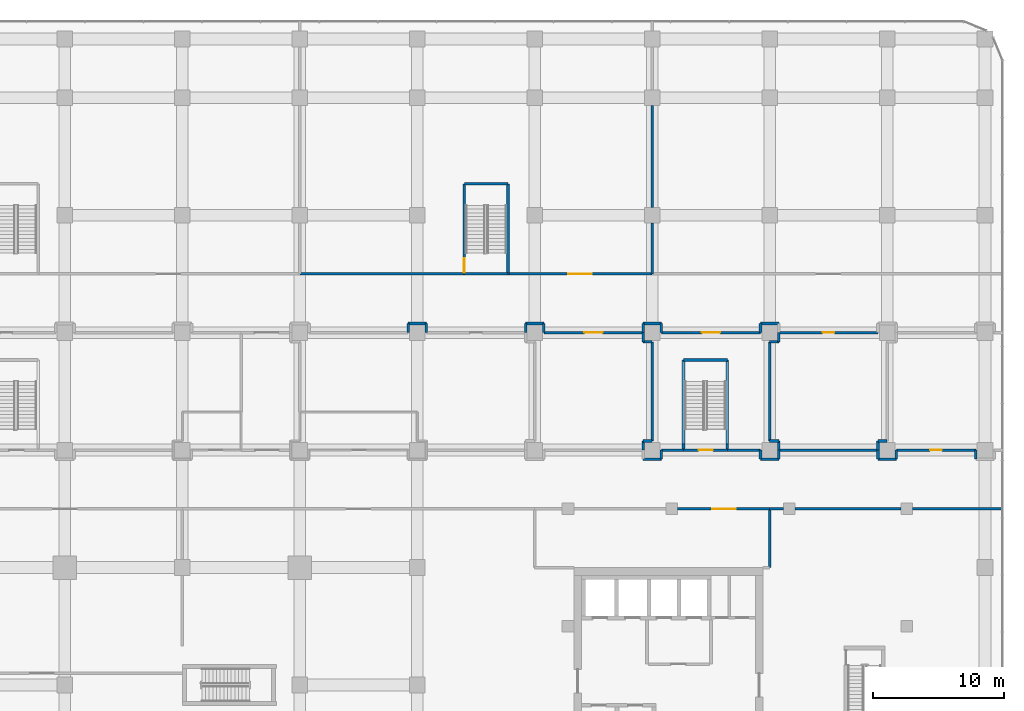
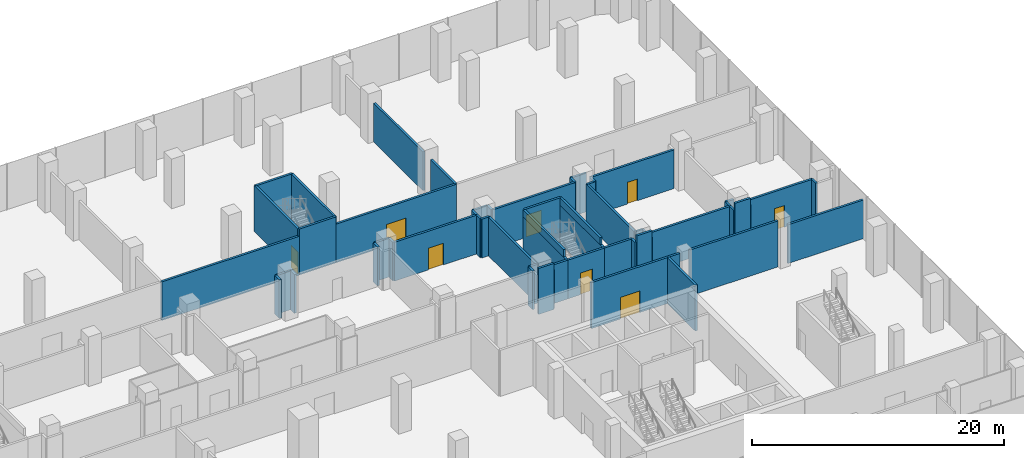
# One storey, part 35 of 42: 58 walls, 8 doors, 8 openings.
"""IFC4 building model written with IfcOpenShell, lengths in metres."""

from ifc_helpers import new_model, si_unit, direction, frame, frame_2d, origin, place, context, subcontext, project, spatial, rectangle, extrude, material, layer, layer_set, type_object, element, fill, save


model = new_model("IFC4")

# Units and contexts
model_context = context("Model", 3, precision=1e-05, world=origin(), true_north=direction((0.0, 1.0)))
body_context = subcontext(model_context, "Body", "Model", "MODEL_VIEW")
ifc_project = project(units=[si_unit("LENGTHUNIT", "METRE"), si_unit("AREAUNIT", "SQUARE_METRE"), si_unit("VOLUMEUNIT", "CUBIC_METRE"), si_unit("PLANEANGLEUNIT", "RADIAN"), si_unit("MASSUNIT", "GRAM", prefix="KILO")], contexts=[model_context])

# Site, building, storey
site_placement = place(None, origin())
site = spatial("IfcSite", under=ifc_project, at=site_placement, CompositionType="ELEMENT")
building_placement = place(site_placement, origin())
building = spatial("IfcBuilding", under=site, at=building_placement, Name="Plateau Cross Towers", CompositionType="ELEMENT")
storey_placement = place(building_placement, frame((0.0, 0.0, 8.0)))
storey = spatial("IfcBuildingStorey", under=building, at=storey_placement, Name="L01", CompositionType="ELEMENT", Elevation=8.0)

# Walls
ifc_material_1 = material(Name="Gypsum board on steel studs", Category="steel")
ifc_layer_1 = layer(ifc_material_1, 0.199951171875)
ifc_layer_set_1 = layer_set([ifc_layer_1], Name="Gypsum board on steel studs")
wall_type_1 = type_object("IfcWallType", Name="Podium partition 200", PredefinedType="PARTITIONING", material=ifc_layer_set_1)
wall_1_placement = place(storey_placement, frame((63.699951171875, 36.0, 0.0), z_axis=(0.0, 0.0, 1.0), x_axis=(0.0, 1.0, 0.0)))
element("IfcWall", 1, at=wall_1_placement, inside=storey, type_object=wall_type_1, Name="Partition wall", PredefinedType="PARTITIONING", context=body_context, shape_type="SweptSolid", body=[
    extrude(rectangle(XDim=0.699951171875, YDim=0.199951171875, at=frame_2d((0.35009765625, 0.0))), origin(), (0.0, 0.0, 1.0), 3.75),
])
wall_2_placement = place(storey_placement, frame((63.699951171875, 36.699951171875, 0.0), z_axis=(0.0, 0.0, 1.0), x_axis=(-1.0, 0.0, 0.0)))
element("IfcWall", 2, at=wall_2_placement, inside=storey, type_object=wall_type_1, Name="Partition wall", PredefinedType="PARTITIONING", context=body_context, shape_type="SweptSolid", body=[
    extrude(rectangle(XDim=1.39990234375, YDim=0.199951171875, at=frame_2d((0.699951171875, 0.0))), origin(), (0.0, 0.0, 1.0), 3.75),
])
wall_3_placement = place(storey_placement, frame((62.300048828125, 36.699951171875, 0.0), z_axis=(0.0, 0.0, 1.0), x_axis=(0.0, -1.0, 0.0)))
element("IfcWall", 3, at=wall_3_placement, inside=storey, type_object=wall_type_1, Name="Partition wall", PredefinedType="PARTITIONING", context=body_context, shape_type="SweptSolid", body=[
    extrude(rectangle(XDim=0.699951171875, YDim=0.199951171875, at=frame_2d((0.35009765625, 0.0))), origin(), (0.0, 0.0, 1.0), 3.75),
])
wall_4_placement = place(storey_placement, frame((81.0, 53.39990234375, 0.0), z_axis=(0.0, 0.0, 1.0), x_axis=(0.0, -1.0, 0.0)))
element("IfcWall", 4, at=wall_4_placement, inside=storey, type_object=wall_type_1, Name="Partition wall", PredefinedType="PARTITIONING", context=body_context, shape_type="SweptSolid", body=[
    extrude(rectangle(XDim=7.7998046875, YDim=0.199951171875, at=frame_2d((3.89990234375, 0.0))), origin(), (0.0, 0.0, 1.0), 3.75),
])
wall_5_placement = place(storey_placement, frame((81.0, 44.39990234375, 0.0), z_axis=(0.0, 0.0, 1.0), x_axis=(0.0, -1.0, 0.0)))
element("IfcWall", 5, at=wall_5_placement, inside=storey, type_object=wall_type_1, Name="Partition wall", PredefinedType="PARTITIONING", context=body_context, shape_type="SweptSolid", body=[
    extrude(rectangle(XDim=3.89990234375, YDim=0.199951171875, at=frame_2d((1.949951171875, 0.0))), origin(), (0.0, 0.0, 1.0), 3.75),
])

# Wall, opening, door
wall_6_placement = place(storey_placement, frame((90.0, 22.5, 0.0), z_axis=(0.0, 0.0, 1.0), x_axis=(-1.0, 0.0, 0.0)))
wall_6 = element("IfcWall", 6, at=wall_6_placement, inside=storey, type_object=wall_type_1, Name="Partition wall", PredefinedType="PARTITIONING", context=body_context, shape_type="SweptSolid", body=[
    extrude(rectangle(XDim=7.050048828125, YDim=0.199951171875, at=frame_2d((3.52490234375, 0.0))), origin(), (0.0, 0.0, 1.0), 4.449951171875),
])
opening_1_placement = place(wall_6_placement, frame((2.60009765625, 0.0, 0.0)))
opening_1 = element("IfcOpeningElement", 7, at=opening_1_placement, cuts=wall_6, Name="Opening 01-34", PredefinedType="OPENING", context=body_context, shape_type="SweptSolid", body=[
    extrude(rectangle(XDim=1.800048828125, YDim=2.10009765625, at=frame_2d((0.89990234375, 1.050048828125))), frame((0.0, 0.10986328125, 0.0), z_axis=(0.0, -1.0, 0.0), x_axis=(1.0, 0.0, 0.0)), (0.0, 0.0, 1.0), 0.219970703125),
])
ifc_material_2 = material(Name="Aluminium frame, toughened glass", Category="aluminium")
door_type_1 = type_object("IfcDoorType", Name="Podium door pair 1800", OperationType="NOTDEFINED", PredefinedType="DOOR", material=ifc_material_2)
door_1_placement = place(opening_1_placement, origin())
door_1 = element("IfcDoor", 8, at=door_1_placement, inside=storey, type_object=door_type_1, Name="Door 01-34", OperationType="DOUBLE_DOOR_SINGLE_SWING", OverallHeight=2.10009765625, OverallWidth=1.800048828125, PredefinedType="DOOR", context=body_context, shape_type="SweptSolid", body=[
    extrude(rectangle(XDim=1.800048828125, YDim=2.10009765625, at=frame_2d((0.89990234375, 1.050048828125))), frame((0.0, 0.02490234375, 0.0), z_axis=(0.0, -1.0, 0.0), x_axis=(1.0, 0.0, 0.0)), (0.0, 0.0, 1.0), 0.050048828125),
])
fill(opening_1, door_1)

# Walls
wall_7_placement = place(storey_placement, frame((107.85009765625, 22.5, 0.0), z_axis=(0.0, 0.0, 1.0), x_axis=(-1.0, 0.0, 0.0)))
element("IfcWall", 9, at=wall_7_placement, inside=storey, type_object=wall_type_1, Name="Partition wall", PredefinedType="PARTITIONING", context=body_context, shape_type="SweptSolid", body=[
    extrude(rectangle(XDim=6.900146484375, YDim=0.199951171875, at=frame_2d((3.4501953125, 0.0))), origin(), (0.0, 0.0, 1.0), 3.75),
])
wall_8_placement = place(storey_placement, frame((100.050048828125, 22.5, 0.0), z_axis=(0.0, 0.0, 1.0), x_axis=(-1.0, 0.0, 0.0)))
element("IfcWall", 10, at=wall_8_placement, inside=storey, type_object=wall_type_1, Name="Partition wall", PredefinedType="PARTITIONING", context=body_context, shape_type="SweptSolid", body=[
    extrude(rectangle(XDim=8.10009765625, YDim=0.199951171875, at=frame_2d((4.050048828125, 0.0))), origin(), (0.0, 0.0, 1.0), 4.449951171875),
])
wall_9_placement = place(storey_placement, frame((91.050048828125, 22.5, 0.0), z_axis=(0.0, 0.0, 1.0), x_axis=(-1.0, 0.0, 0.0)))
element("IfcWall", 11, at=wall_9_placement, inside=storey, type_object=wall_type_1, Name="Partition wall", PredefinedType="PARTITIONING", context=body_context, shape_type="SweptSolid", body=[
    extrude(rectangle(XDim=1.050048828125, YDim=0.199951171875, at=frame_2d((0.52490234375, 0.0))), origin(), (0.0, 0.0, 1.0), 4.449951171875),
])
wall_10_placement = place(storey_placement, frame((90.699951171875, 36.699951171875, 0.0), z_axis=(0.0, 0.0, 1.0), x_axis=(-1.0, 0.0, 0.0)))
element("IfcWall", 12, at=wall_10_placement, inside=storey, type_object=wall_type_1, Name="Partition wall", PredefinedType="PARTITIONING", context=body_context, shape_type="SweptSolid", body=[
    extrude(rectangle(XDim=1.39990234375, YDim=0.199951171875, at=frame_2d((0.699951171875, 0.0))), origin(), (0.0, 0.0, 1.0), 3.75),
])
wall_11_placement = place(storey_placement, frame((89.300048828125, 36.699951171875, 0.0), z_axis=(0.0, 0.0, 1.0), x_axis=(0.0, -1.0, 0.0)))
element("IfcWall", 13, at=wall_11_placement, inside=storey, type_object=wall_type_1, Name="Partition wall", PredefinedType="PARTITIONING", context=body_context, shape_type="SweptSolid", body=[
    extrude(rectangle(XDim=0.699951171875, YDim=0.199951171875, at=frame_2d((0.35009765625, 0.0))), origin(), (0.0, 0.0, 1.0), 3.75),
])

# Wall, opening, door
wall_12_placement = place(storey_placement, frame((89.300048828125, 36.0, 0.0), z_axis=(0.0, 0.0, 1.0), x_axis=(-1.0, 0.0, 0.0)))
wall_12 = element("IfcWall", 14, at=wall_12_placement, inside=storey, type_object=wall_type_1, Name="Partition wall", PredefinedType="PARTITIONING", context=body_context, shape_type="SweptSolid", body=[
    extrude(rectangle(XDim=7.60009765625, YDim=0.199951171875, at=frame_2d((3.800048828125, 0.0))), origin(), (0.0, 0.0, 1.0), 3.75),
])
opening_2_placement = place(wall_12_placement, frame((3.10009765625, 0.0, 0.0)))
opening_2 = element("IfcOpeningElement", 15, at=opening_2_placement, cuts=wall_12, Name="Opening 01-22", PredefinedType="OPENING", context=body_context, shape_type="SweptSolid", body=[
    extrude(rectangle(XDim=1.39990234375, YDim=2.10009765625, at=frame_2d((0.699951171875, 1.050048828125))), frame((0.0, 0.10986328125, 0.0), z_axis=(0.0, -1.0, 0.0), x_axis=(1.0, 0.0, 0.0)), (0.0, 0.0, 1.0), 0.219970703125),
])
ifc_material_3 = material(Name="Timber, hospital grade leaf", Category="wood")
door_type_2 = type_object("IfcDoorType", Name="Clinic bed access door 1400x2100", OperationType="NOTDEFINED", PredefinedType="DOOR", material=ifc_material_3)
door_2_placement = place(opening_2_placement, origin())
door_2 = element("IfcDoor", 16, at=door_2_placement, inside=storey, type_object=door_type_2, Name="Door 01-22", OperationType="SINGLE_SWING_LEFT", OverallHeight=2.10009765625, OverallWidth=1.39990234375, PredefinedType="DOOR", context=body_context, shape_type="SweptSolid", body=[
    extrude(rectangle(XDim=1.39990234375, YDim=2.10009765625, at=frame_2d((0.699951171875, 1.050048828125))), frame((0.0, 0.02490234375, 0.0), z_axis=(0.0, -1.0, 0.0), x_axis=(1.0, 0.0, 0.0)), (0.0, 0.0, 1.0), 0.050048828125),
])
fill(opening_2, door_2)

# Walls
wall_13_placement = place(storey_placement, frame((81.699951171875, 36.0, 0.0), z_axis=(0.0, 0.0, 1.0), x_axis=(0.0, 1.0, 0.0)))
element("IfcWall", 17, at=wall_13_placement, inside=storey, type_object=wall_type_1, Name="Partition wall", PredefinedType="PARTITIONING", context=body_context, shape_type="SweptSolid", body=[
    extrude(rectangle(XDim=0.699951171875, YDim=0.199951171875, at=frame_2d((0.35009765625, 0.0))), origin(), (0.0, 0.0, 1.0), 3.75),
])
wall_14_placement = place(storey_placement, frame((81.699951171875, 36.699951171875, 0.0), z_axis=(0.0, 0.0, 1.0), x_axis=(-1.0, 0.0, 0.0)))
element("IfcWall", 18, at=wall_14_placement, inside=storey, type_object=wall_type_1, Name="Partition wall", PredefinedType="PARTITIONING", context=body_context, shape_type="SweptSolid", body=[
    extrude(rectangle(XDim=1.39990234375, YDim=0.199951171875, at=frame_2d((0.699951171875, 0.0))), origin(), (0.0, 0.0, 1.0), 3.75),
])
wall_15_placement = place(storey_placement, frame((80.300048828125, 36.699951171875, 0.0), z_axis=(0.0, 0.0, 1.0), x_axis=(0.0, -1.0, 0.0)))
element("IfcWall", 19, at=wall_15_placement, inside=storey, type_object=wall_type_1, Name="Partition wall", PredefinedType="PARTITIONING", context=body_context, shape_type="SweptSolid", body=[
    extrude(rectangle(XDim=0.699951171875, YDim=0.199951171875, at=frame_2d((0.35009765625, 0.0))), origin(), (0.0, 0.0, 1.0), 3.75),
])
wall_16_placement = place(storey_placement, frame((54.0, 40.5, 0.0), z_axis=(0.0, 0.0, 1.0), x_axis=(1.0, 0.0, 0.0)))
element("IfcWall", 20, at=wall_16_placement, inside=storey, type_object=wall_type_1, Name="Partition wall", PredefinedType="PARTITIONING", context=body_context, shape_type="SweptSolid", body=[
    extrude(rectangle(XDim=12.60009765625, YDim=0.199951171875, at=frame_2d((6.300048828125, 0.0))), origin(), (0.0, 0.0, 1.0), 3.75),
])
wall_17_placement = place(storey_placement, frame((98.300048828125, 27.0, 0.0), z_axis=(0.0, 0.0, 1.0), x_axis=(0.0, -1.0, 0.0)))
element("IfcWall", 21, at=wall_17_placement, inside=storey, type_object=wall_type_1, Name="Partition wall", PredefinedType="PARTITIONING", context=body_context, shape_type="SweptSolid", body=[
    extrude(rectangle(XDim=0.699951171875, YDim=0.199951171875, at=frame_2d((0.35009765625, 0.0))), origin(), (0.0, 0.0, 1.0), 3.75),
])
wall_18_placement = place(storey_placement, frame((98.300048828125, 26.300048828125, 0.0), z_axis=(0.0, 0.0, 1.0), x_axis=(1.0, 0.0, 0.0)))
element("IfcWall", 22, at=wall_18_placement, inside=storey, type_object=wall_type_1, Name="Partition wall", PredefinedType="PARTITIONING", context=body_context, shape_type="SweptSolid", body=[
    extrude(rectangle(XDim=1.39990234375, YDim=0.199951171875, at=frame_2d((0.699951171875, 0.0))), origin(), (0.0, 0.0, 1.0), 4.449951171875),
])
wall_19_placement = place(storey_placement, frame((99.699951171875, 26.300048828125, 0.0), z_axis=(0.0, 0.0, 1.0), x_axis=(0.0, 1.0, 0.0)))
element("IfcWall", 23, at=wall_19_placement, inside=storey, type_object=wall_type_1, Name="Partition wall", PredefinedType="PARTITIONING", context=body_context, shape_type="SweptSolid", body=[
    extrude(rectangle(XDim=0.699951171875, YDim=0.199951171875, at=frame_2d((0.35009765625, 0.0))), origin(), (0.0, 0.0, 1.0), 3.75),
])

# Wall, opening, door
wall_20_placement = place(storey_placement, frame((99.699951171875, 27.0, 0.0), z_axis=(0.0, 0.0, 1.0), x_axis=(1.0, 0.0, 0.0)))
wall_20 = element("IfcWall", 24, at=wall_20_placement, inside=storey, type_object=wall_type_1, Name="Partition wall", PredefinedType="PARTITIONING", context=body_context, shape_type="SweptSolid", body=[
    extrude(rectangle(XDim=6.10009765625, YDim=0.199951171875, at=frame_2d((3.050048828125, 0.0))), origin(), (0.0, 0.0, 1.0), 3.75),
])
opening_3_placement = place(wall_20_placement, frame((2.60009765625, 0.0, 0.0)))
opening_3 = element("IfcOpeningElement", 25, at=opening_3_placement, cuts=wall_20, Name="Opening 01-24", PredefinedType="OPENING", context=body_context, shape_type="SweptSolid", body=[
    extrude(rectangle(XDim=0.89990234375, YDim=2.10009765625, at=frame_2d((0.449951171875, 1.050048828125))), frame((0.0, 0.10986328125, 0.0), z_axis=(0.0, -1.0, 0.0), x_axis=(1.0, 0.0, 0.0)), (0.0, 0.0, 1.0), 0.219970703125),
])
ifc_material_4 = material(Name="Timber leaf", Category="wood")
door_type_3 = type_object("IfcDoorType", Name="Podium room door 900", OperationType="NOTDEFINED", PredefinedType="DOOR", material=ifc_material_4)
door_3_placement = place(opening_3_placement, origin())
door_3 = element("IfcDoor", 26, at=door_3_placement, inside=storey, type_object=door_type_3, Name="Door 01-24", OperationType="SINGLE_SWING_LEFT", OverallHeight=2.10009765625, OverallWidth=0.89990234375, PredefinedType="DOOR", context=body_context, shape_type="SweptSolid", body=[
    extrude(rectangle(XDim=0.89990234375, YDim=2.10009765625, at=frame_2d((0.449951171875, 1.050048828125))), frame((0.0, 0.02490234375, 0.0), z_axis=(0.0, -1.0, 0.0), x_axis=(1.0, 0.0, 0.0)), (0.0, 0.0, 1.0), 0.050048828125),
])
fill(opening_3, door_3)

# Wall
wall_21_placement = place(storey_placement, frame((105.800048828125, 27.0, 0.0), z_axis=(0.0, 0.0, 1.0), x_axis=(0.0, -1.0, 0.0)))
element("IfcWall", 27, at=wall_21_placement, inside=storey, type_object=wall_type_1, Name="Partition wall", PredefinedType="PARTITIONING", context=body_context, shape_type="SweptSolid", body=[
    extrude(rectangle(XDim=0.699951171875, YDim=0.199951171875, at=frame_2d((0.35009765625, 0.0))), origin(), (0.0, 0.0, 1.0), 3.75),
])

# Wall, opening, door
wall_22_placement = place(storey_placement, frame((69.949951171875, 40.5, 0.0), z_axis=(0.0, 0.0, 1.0), x_axis=(1.0, 0.0, 0.0)))
wall_22 = element("IfcWall", 28, at=wall_22_placement, inside=storey, type_object=wall_type_1, Name="Partition wall", PredefinedType="PARTITIONING", context=body_context, shape_type="SweptSolid", body=[
    extrude(rectangle(XDim=11.050048828125, YDim=0.199951171875, at=frame_2d((5.52490234375, 0.0))), origin(), (0.0, 0.0, 1.0), 3.75),
])
opening_4_placement = place(wall_22_placement, frame((4.60009765625, 0.0, 0.0)))
opening_4 = element("IfcOpeningElement", 29, at=opening_4_placement, cuts=wall_22, Name="Opening 01-31", PredefinedType="OPENING", context=body_context, shape_type="SweptSolid", body=[
    extrude(rectangle(XDim=1.800048828125, YDim=2.10009765625, at=frame_2d((0.89990234375, 1.050048828125))), frame((0.0, 0.10986328125, 0.0), z_axis=(0.0, -1.0, 0.0), x_axis=(1.0, 0.0, 0.0)), (0.0, 0.0, 1.0), 0.219970703125),
])
door_4_placement = place(opening_4_placement, origin())
door_4 = element("IfcDoor", 30, at=door_4_placement, inside=storey, type_object=door_type_1, Name="Door 01-31", OperationType="DOUBLE_DOOR_SINGLE_SWING", OverallHeight=2.10009765625, OverallWidth=1.800048828125, PredefinedType="DOOR", context=body_context, shape_type="SweptSolid", body=[
    extrude(rectangle(XDim=1.800048828125, YDim=2.10009765625, at=frame_2d((0.89990234375, 1.050048828125))), frame((0.0, 0.02490234375, 0.0), z_axis=(0.0, -1.0, 0.0), x_axis=(1.0, 0.0, 0.0)), (0.0, 0.0, 1.0), 0.050048828125),
])
fill(opening_4, door_4)

wall_23_placement = place(storey_placement, frame((80.300048828125, 36.0, 0.0), z_axis=(0.0, 0.0, 1.0), x_axis=(-1.0, 0.0, 0.0)))
wall_23 = element("IfcWall", 31, at=wall_23_placement, inside=storey, type_object=wall_type_1, Name="Partition wall", PredefinedType="PARTITIONING", context=body_context, shape_type="SweptSolid", body=[
    extrude(rectangle(XDim=7.60009765625, YDim=0.199951171875, at=frame_2d((3.800048828125, 0.0))), origin(), (0.0, 0.0, 1.0), 3.75),
])
opening_5_placement = place(wall_23_placement, frame((3.10009765625, 0.0, 0.0)))
opening_5 = element("IfcOpeningElement", 32, at=opening_5_placement, cuts=wall_23, Name="Opening 01-21", PredefinedType="OPENING", context=body_context, shape_type="SweptSolid", body=[
    extrude(rectangle(XDim=1.39990234375, YDim=2.10009765625, at=frame_2d((0.699951171875, 1.050048828125))), frame((0.0, 0.10986328125, 0.0), z_axis=(0.0, -1.0, 0.0), x_axis=(1.0, 0.0, 0.0)), (0.0, 0.0, 1.0), 0.219970703125),
])
door_5_placement = place(opening_5_placement, origin())
door_5 = element("IfcDoor", 33, at=door_5_placement, inside=storey, type_object=door_type_2, Name="Door 01-21", OperationType="SINGLE_SWING_LEFT", OverallHeight=2.10009765625, OverallWidth=1.39990234375, PredefinedType="DOOR", context=body_context, shape_type="SweptSolid", body=[
    extrude(rectangle(XDim=1.39990234375, YDim=2.10009765625, at=frame_2d((0.699951171875, 1.050048828125))), frame((0.0, 0.02490234375, 0.0), z_axis=(0.0, -1.0, 0.0), x_axis=(1.0, 0.0, 0.0)), (0.0, 0.0, 1.0), 0.050048828125),
])
fill(opening_5, door_5)

# Walls
wall_24_placement = place(storey_placement, frame((72.699951171875, 36.0, 0.0), z_axis=(0.0, 0.0, 1.0), x_axis=(0.0, 1.0, 0.0)))
element("IfcWall", 34, at=wall_24_placement, inside=storey, type_object=wall_type_1, Name="Partition wall", PredefinedType="PARTITIONING", context=body_context, shape_type="SweptSolid", body=[
    extrude(rectangle(XDim=0.699951171875, YDim=0.199951171875, at=frame_2d((0.35009765625, 0.0))), origin(), (0.0, 0.0, 1.0), 3.75),
])
wall_25_placement = place(storey_placement, frame((72.699951171875, 36.699951171875, 0.0), z_axis=(0.0, 0.0, 1.0), x_axis=(-1.0, 0.0, 0.0)))
element("IfcWall", 35, at=wall_25_placement, inside=storey, type_object=wall_type_1, Name="Partition wall", PredefinedType="PARTITIONING", context=body_context, shape_type="SweptSolid", body=[
    extrude(rectangle(XDim=1.39990234375, YDim=0.199951171875, at=frame_2d((0.699951171875, 0.0))), origin(), (0.0, 0.0, 1.0), 3.75),
])
wall_26_placement = place(storey_placement, frame((71.300048828125, 36.699951171875, 0.0), z_axis=(0.0, 0.0, 1.0), x_axis=(0.0, -1.0, 0.0)))
element("IfcWall", 36, at=wall_26_placement, inside=storey, type_object=wall_type_1, Name="Partition wall", PredefinedType="PARTITIONING", context=body_context, shape_type="SweptSolid", body=[
    extrude(rectangle(XDim=0.699951171875, YDim=0.199951171875, at=frame_2d((0.35009765625, 0.0))), origin(), (0.0, 0.0, 1.0), 3.75),
])

# Wall, opening, door
wall_27_placement = place(storey_placement, frame((98.300048828125, 36.0, 0.0), z_axis=(0.0, 0.0, 1.0), x_axis=(-1.0, 0.0, 0.0)))
wall_27 = element("IfcWall", 37, at=wall_27_placement, inside=storey, type_object=wall_type_1, Name="Partition wall", PredefinedType="PARTITIONING", context=body_context, shape_type="SweptSolid", body=[
    extrude(rectangle(XDim=7.60009765625, YDim=0.199951171875, at=frame_2d((3.800048828125, 0.0))), origin(), (0.0, 0.0, 1.0), 3.75),
])
opening_6_placement = place(wall_27_placement, frame((3.35009765625, 0.0, 0.0)))
opening_6 = element("IfcOpeningElement", 38, at=opening_6_placement, cuts=wall_27, Name="Opening 01-23", PredefinedType="OPENING", context=body_context, shape_type="SweptSolid", body=[
    extrude(rectangle(XDim=0.89990234375, YDim=2.10009765625, at=frame_2d((0.449951171875, 1.050048828125))), frame((0.0, 0.10986328125, 0.0), z_axis=(0.0, -1.0, 0.0), x_axis=(1.0, 0.0, 0.0)), (0.0, 0.0, 1.0), 0.219970703125),
])
door_6_placement = place(opening_6_placement, origin())
door_6 = element("IfcDoor", 39, at=door_6_placement, inside=storey, type_object=door_type_3, Name="Door 01-23", OperationType="SINGLE_SWING_LEFT", OverallHeight=2.10009765625, OverallWidth=0.89990234375, PredefinedType="DOOR", context=body_context, shape_type="SweptSolid", body=[
    extrude(rectangle(XDim=0.89990234375, YDim=2.10009765625, at=frame_2d((0.449951171875, 1.050048828125))), frame((0.0, 0.02490234375, 0.0), z_axis=(0.0, -1.0, 0.0), x_axis=(1.0, 0.0, 0.0)), (0.0, 0.0, 1.0), 0.050048828125),
])
fill(opening_6, door_6)

# Walls
for number, where, z_axis, x_axis, name in (
    (40, (80.300048828125, 36.0, 0.0), (0.0, 0.0, 1.0), (0.0, -1.0, 0.0), "Partition wall"),
    (41, (80.300048828125, 35.300048828125, 0.0), (0.0, 0.0, 1.0), (1.0, 0.0, 0.0), "Partition wall"),
):
    element("IfcWall", number, at=place(storey_placement, frame(where, z_axis=z_axis, x_axis=x_axis)), inside=storey, type_object=wall_type_1, Name=name, PredefinedType="PARTITIONING", context=body_context, shape_type="SweptSolid", body=[
        extrude(rectangle(XDim=0.699951171875, YDim=0.199951171875, at=frame_2d((0.35009765625, 0.0))), origin(), (0.0, 0.0, 1.0), 3.75),
    ])
wall_28_placement = place(storey_placement, frame((81.0, 35.300048828125, 0.0), z_axis=(0.0, 0.0, 1.0), x_axis=(0.0, -1.0, 0.0)))
element("IfcWall", 42, at=wall_28_placement, inside=storey, type_object=wall_type_1, Name="Partition wall", PredefinedType="PARTITIONING", context=body_context, shape_type="SweptSolid", body=[
    extrude(rectangle(XDim=7.60009765625, YDim=0.199951171875, at=frame_2d((3.800048828125, 0.0))), origin(), (0.0, 0.0, 1.0), 3.75),
])
for number, where, z_axis, x_axis, name in (
    (43, (81.0, 27.699951171875, 0.0), (0.0, 0.0, 1.0), (-1.0, 0.0, 0.0), "Partition wall"),
    (44, (80.300048828125, 27.699951171875, 0.0), (0.0, 0.0, 1.0), (0.0, -1.0, 0.0), "Partition wall"),
    (45, (99.0, 27.699951171875, 0.0), (0.0, 0.0, 1.0), (-1.0, 0.0, 0.0), "Partition wall"),
    (46, (98.300048828125, 27.699951171875, 0.0), (0.0, 0.0, 1.0), (0.0, -1.0, 0.0), "Partition wall"),
    (47, (90.699951171875, 36.0, 0.0), (0.0, 0.0, 1.0), (0.0, -1.0, 0.0), "Partition wall"),
    (48, (90.699951171875, 35.300048828125, 0.0), (0.0, 0.0, 1.0), (-1.0, 0.0, 0.0), "Partition wall"),
):
    element("IfcWall", number, at=place(storey_placement, frame(where, z_axis=z_axis, x_axis=x_axis)), inside=storey, type_object=wall_type_1, Name=name, PredefinedType="PARTITIONING", context=body_context, shape_type="SweptSolid", body=[
        extrude(rectangle(XDim=0.699951171875, YDim=0.199951171875, at=frame_2d((0.35009765625, 0.0))), origin(), (0.0, 0.0, 1.0), 3.75),
    ])
wall_29_placement = place(storey_placement, frame((90.0, 35.300048828125, 0.0), z_axis=(0.0, 0.0, 1.0), x_axis=(0.0, -1.0, 0.0)))
element("IfcWall", 49, at=wall_29_placement, inside=storey, type_object=wall_type_1, Name="Partition wall", PredefinedType="PARTITIONING", context=body_context, shape_type="SweptSolid", body=[
    extrude(rectangle(XDim=7.60009765625, YDim=0.199951171875, at=frame_2d((3.800048828125, 0.0))), origin(), (0.0, 0.0, 1.0), 3.75),
])
for number, where, z_axis, x_axis, name in (
    (50, (90.0, 27.699951171875, 0.0), (0.0, 0.0, 1.0), (1.0, 0.0, 0.0), "Partition wall"),
    (51, (90.699951171875, 27.699951171875, 0.0), (0.0, 0.0, 1.0), (0.0, -1.0, 0.0), "Partition wall"),
):
    element("IfcWall", number, at=place(storey_placement, frame(where, z_axis=z_axis, x_axis=x_axis)), inside=storey, type_object=wall_type_1, Name=name, PredefinedType="PARTITIONING", context=body_context, shape_type="SweptSolid", body=[
        extrude(rectangle(XDim=0.699951171875, YDim=0.199951171875, at=frame_2d((0.35009765625, 0.0))), origin(), (0.0, 0.0, 1.0), 3.75),
    ])
wall_30_placement = place(storey_placement, frame((90.699951171875, 27.0, 0.0), z_axis=(0.0, 0.0, 1.0), x_axis=(1.0, 0.0, 0.0)))
element("IfcWall", 52, at=wall_30_placement, inside=storey, type_object=wall_type_1, Name="Partition wall", PredefinedType="PARTITIONING", context=body_context, shape_type="SweptSolid", body=[
    extrude(rectangle(XDim=7.5, YDim=0.199951171875, at=frame_2d((3.75, 0.0))), origin(), (0.0, 0.0, 1.0), 3.75),
])
wall_31_placement = place(storey_placement, frame((86.75, 27.0, 0.0), z_axis=(0.0, 0.0, 1.0), x_axis=(1.0, 0.0, 0.0)))
element("IfcWall", 53, at=wall_31_placement, inside=storey, type_object=wall_type_1, Name="Partition wall", PredefinedType="PARTITIONING", context=body_context, shape_type="SweptSolid", body=[
    extrude(rectangle(XDim=2.550048828125, YDim=0.199951171875, at=frame_2d((1.27490234375, 0.0))), origin(), (0.0, 0.0, 1.0), 3.75),
])
wall_32_placement = place(storey_placement, frame((89.300048828125, 27.0, 0.0), z_axis=(0.0, 0.0, 1.0), x_axis=(0.0, -1.0, 0.0)))
element("IfcWall", 54, at=wall_32_placement, inside=storey, type_object=wall_type_1, Name="Partition wall", PredefinedType="PARTITIONING", context=body_context, shape_type="SweptSolid", body=[
    extrude(rectangle(XDim=0.699951171875, YDim=0.199951171875, at=frame_2d((0.35009765625, 0.0))), origin(), (0.0, 0.0, 1.0), 3.75),
])
wall_33_placement = place(storey_placement, frame((89.300048828125, 26.300048828125, 0.0), z_axis=(0.0, 0.0, 1.0), x_axis=(1.0, 0.0, 0.0)))
element("IfcWall", 55, at=wall_33_placement, inside=storey, type_object=wall_type_1, Name="Partition wall", PredefinedType="PARTITIONING", context=body_context, shape_type="SweptSolid", body=[
    extrude(rectangle(XDim=1.39990234375, YDim=0.199951171875, at=frame_2d((0.699951171875, 0.0))), origin(), (0.0, 0.0, 1.0), 4.449951171875),
])
wall_34_placement = place(storey_placement, frame((90.699951171875, 26.300048828125, 0.0), z_axis=(0.0, 0.0, 1.0), x_axis=(0.0, 1.0, 0.0)))
element("IfcWall", 56, at=wall_34_placement, inside=storey, type_object=wall_type_1, Name="Partition wall", PredefinedType="PARTITIONING", context=body_context, shape_type="SweptSolid", body=[
    extrude(rectangle(XDim=0.699951171875, YDim=0.199951171875, at=frame_2d((0.35009765625, 0.0))), origin(), (0.0, 0.0, 1.0), 3.75),
])
wall_35_placement = place(storey_placement, frame((80.300048828125, 26.300048828125, 0.0), z_axis=(0.0, 0.0, 1.0), x_axis=(1.0, 0.0, 0.0)))
element("IfcWall", 57, at=wall_35_placement, inside=storey, type_object=wall_type_1, Name="Partition wall", PredefinedType="PARTITIONING", context=body_context, shape_type="SweptSolid", body=[
    extrude(rectangle(XDim=1.39990234375, YDim=0.199951171875, at=frame_2d((0.699951171875, 0.0))), origin(), (0.0, 0.0, 1.0), 4.449951171875),
])
wall_36_placement = place(storey_placement, frame((81.699951171875, 26.300048828125, 0.0), z_axis=(0.0, 0.0, 1.0), x_axis=(0.0, 1.0, 0.0)))
element("IfcWall", 58, at=wall_36_placement, inside=storey, type_object=wall_type_1, Name="Partition wall", PredefinedType="PARTITIONING", context=body_context, shape_type="SweptSolid", body=[
    extrude(rectangle(XDim=0.699951171875, YDim=0.199951171875, at=frame_2d((0.35009765625, 0.0))), origin(), (0.0, 0.0, 1.0), 3.75),
])
wall_37_placement = place(storey_placement, frame((81.699951171875, 27.0, 0.0), z_axis=(0.0, 0.0, 1.0), x_axis=(1.0, 0.0, 0.0)))
element("IfcWall", 59, at=wall_37_placement, inside=storey, type_object=wall_type_1, Name="Partition wall", PredefinedType="PARTITIONING", context=body_context, shape_type="SweptSolid", body=[
    extrude(rectangle(XDim=1.699951171875, YDim=0.199951171875, at=frame_2d((0.85009765625, 0.0))), origin(), (0.0, 0.0, 1.0), 3.75),
])
wall_38_placement = place(storey_placement, frame((90.0, 22.39990234375, 0.0), z_axis=(0.0, 0.0, 1.0), x_axis=(0.0, -1.0, 0.0)))
element("IfcWall", 60, at=wall_38_placement, inside=storey, type_object=wall_type_1, Name="Partition wall", PredefinedType="PARTITIONING", context=body_context, shape_type="SweptSolid", body=[
    extrude(rectangle(XDim=4.39990234375, YDim=0.199951171875, at=frame_2d((2.199951171875, 0.0))), origin(), (0.0, 0.0, 1.0), 4.449951171875),
])

# Wall, opening, door
ifc_material_5 = material(Name="Fire-rated plasterboard shaft wall system")
ifc_layer_2 = layer(ifc_material_5, 0.199951171875)
ifc_layer_set_2 = layer_set([ifc_layer_2], Name="Fire-rated plasterboard shaft wall system")
wall_type_2 = type_object("IfcWallType", Name="Podium stair shaft wall 200", PredefinedType="PARTITIONING", material=ifc_layer_set_2)
wall_39_placement = place(storey_placement, frame((66.60009765625, 40.5, 0.0), z_axis=(0.0, 0.0, 1.0), x_axis=(0.0, 1.0, 0.0)))
wall_39 = element("IfcWall", 61, at=wall_39_placement, inside=storey, type_object=wall_type_2, Name="Partition wall", PredefinedType="PARTITIONING", context=body_context, shape_type="SweptSolid", body=[
    extrude(rectangle(XDim=6.89990234375, YDim=0.199951171875, at=frame_2d((3.449951171875, 0.0))), origin(), (0.0, 0.0, 1.0), 4.449951171875),
])
opening_7_placement = place(wall_39_placement, frame((0.10009765625, 0.0, 0.0)))
opening_7 = element("IfcOpeningElement", 62, at=opening_7_placement, cuts=wall_39, Name="Opening 01-03", PredefinedType="OPENING", context=body_context, shape_type="SweptSolid", body=[
    extrude(rectangle(XDim=1.10009765625, YDim=2.10009765625, at=frame_2d((0.550048828125, 1.050048828125))), frame((0.0, 0.10986328125, 0.0), z_axis=(0.0, -1.0, 0.0), x_axis=(1.0, 0.0, 0.0)), (0.0, 0.0, 1.0), 0.219970703125),
])
ifc_material_6 = material(Name="Steel, fire-resisting leaf", Category="steel")
door_type_4 = type_object("IfcDoorType", Name="Podium stair door 1100", OperationType="NOTDEFINED", PredefinedType="DOOR", material=ifc_material_6)
door_7_placement = place(opening_7_placement, origin())
door_7 = element("IfcDoor", 63, at=door_7_placement, inside=storey, type_object=door_type_4, Name="Door 01-03", OperationType="SINGLE_SWING_LEFT", OverallHeight=2.10009765625, OverallWidth=1.10009765625, PredefinedType="DOOR", context=body_context, shape_type="SweptSolid", body=[
    extrude(rectangle(XDim=1.10009765625, YDim=2.10009765625, at=frame_2d((0.550048828125, 1.050048828125))), frame((0.0, 0.02490234375, 0.0), z_axis=(0.0, -1.0, 0.0), x_axis=(1.0, 0.0, 0.0)), (0.0, 0.0, 1.0), 0.050048828125),
])
fill(opening_7, door_7)

# Walls
wall_40_placement = place(storey_placement, frame((66.60009765625, 47.39990234375, 0.0), z_axis=(0.0, 0.0, 1.0), x_axis=(1.0, 0.0, 0.0)))
element("IfcWall", 64, at=wall_40_placement, inside=storey, type_object=wall_type_2, Name="Partition wall", PredefinedType="PARTITIONING", context=body_context, shape_type="SweptSolid", body=[
    extrude(rectangle(XDim=3.349853515625, YDim=0.199951171875, at=frame_2d((1.6748046875, 0.0))), origin(), (0.0, 0.0, 1.0), 4.449951171875),
])
wall_41_placement = place(storey_placement, frame((69.949951171875, 47.39990234375, 0.0), z_axis=(0.0, 0.0, 1.0), x_axis=(0.0, -1.0, 0.0)))
element("IfcWall", 65, at=wall_41_placement, inside=storey, type_object=wall_type_2, Name="Partition wall", PredefinedType="PARTITIONING", context=body_context, shape_type="SweptSolid", body=[
    extrude(rectangle(XDim=6.89990234375, YDim=0.199951171875, at=frame_2d((3.449951171875, 0.0))), origin(), (0.0, 0.0, 1.0), 4.449951171875),
])
wall_42_placement = place(storey_placement, frame((83.39990234375, 27.0, 0.0), z_axis=(0.0, 0.0, 1.0), x_axis=(0.0, 1.0, 0.0)))
element("IfcWall", 66, at=wall_42_placement, inside=storey, type_object=wall_type_2, Name="Partition wall", PredefinedType="PARTITIONING", context=body_context, shape_type="SweptSolid", body=[
    extrude(rectangle(XDim=6.89990234375, YDim=0.199951171875, at=frame_2d((3.449951171875, 0.0))), origin(), (0.0, 0.0, 1.0), 3.75),
])
wall_43_placement = place(storey_placement, frame((83.39990234375, 33.89990234375, 0.0), z_axis=(0.0, 0.0, 1.0), x_axis=(1.0, 0.0, 0.0)))
element("IfcWall", 67, at=wall_43_placement, inside=storey, type_object=wall_type_2, Name="Partition wall", PredefinedType="PARTITIONING", context=body_context, shape_type="SweptSolid", body=[
    extrude(rectangle(XDim=3.35009765625, YDim=0.199951171875, at=frame_2d((1.675048828125, 0.0))), origin(), (0.0, 0.0, 1.0), 4.449951171875),
])
wall_44_placement = place(storey_placement, frame((86.75, 33.89990234375, 0.0), z_axis=(0.0, 0.0, 1.0), x_axis=(0.0, -1.0, 0.0)))
element("IfcWall", 68, at=wall_44_placement, inside=storey, type_object=wall_type_2, Name="Partition wall", PredefinedType="PARTITIONING", context=body_context, shape_type="SweptSolid", body=[
    extrude(rectangle(XDim=6.89990234375, YDim=0.199951171875, at=frame_2d((3.449951171875, 0.0))), origin(), (0.0, 0.0, 1.0), 3.75),
])
wall_45_placement = place(storey_placement, frame((69.949951171875, 40.5, 0.0), z_axis=(0.0, 0.0, 1.0), x_axis=(-1.0, 0.0, 0.0)))
element("IfcWall", 69, at=wall_45_placement, inside=storey, type_object=wall_type_2, Name="Partition wall", PredefinedType="PARTITIONING", context=body_context, shape_type="SweptSolid", body=[
    extrude(rectangle(XDim=3.349853515625, YDim=0.199951171875, at=frame_2d((1.6748046875, 0.0))), origin(), (0.0, 0.0, 1.0), 4.449951171875),
])

# Wall, opening, door
wall_46_placement = place(storey_placement, frame((86.75, 27.0, 0.0), z_axis=(0.0, 0.0, 1.0), x_axis=(-1.0, 0.0, 0.0)))
wall_46 = element("IfcWall", 70, at=wall_46_placement, inside=storey, type_object=wall_type_2, Name="Partition wall", PredefinedType="PARTITIONING", context=body_context, shape_type="SweptSolid", body=[
    extrude(rectangle(XDim=3.35009765625, YDim=0.199951171875, at=frame_2d((1.675048828125, 0.0))), origin(), (0.0, 0.0, 1.0), 3.75),
])
opening_8_placement = place(wall_46_placement, frame((1.10009765625, 0.0, 0.0)))
opening_8 = element("IfcOpeningElement", 71, at=opening_8_placement, cuts=wall_46, Name="Opening 01-05", PredefinedType="OPENING", context=body_context, shape_type="SweptSolid", body=[
    extrude(rectangle(XDim=1.10009765625, YDim=2.10009765625, at=frame_2d((0.550048828125, 1.050048828125))), frame((0.0, 0.10986328125, 0.0), z_axis=(0.0, -1.0, 0.0), x_axis=(1.0, 0.0, 0.0)), (0.0, 0.0, 1.0), 0.219970703125),
])
door_8_placement = place(opening_8_placement, origin())
door_8 = element("IfcDoor", 72, at=door_8_placement, inside=storey, type_object=door_type_4, Name="Door 01-05", OperationType="SINGLE_SWING_LEFT", OverallHeight=2.10009765625, OverallWidth=1.10009765625, PredefinedType="DOOR", context=body_context, shape_type="SweptSolid", body=[
    extrude(rectangle(XDim=1.10009765625, YDim=2.10009765625, at=frame_2d((0.550048828125, 1.050048828125))), frame((0.0, 0.02490234375, 0.0), z_axis=(0.0, -1.0, 0.0), x_axis=(1.0, 0.0, 0.0)), (0.0, 0.0, 1.0), 0.050048828125),
])
fill(opening_8, door_8)

# Walls
for number, where, z_axis, x_axis, name in (
    (73, (83.39990234375, 27.449951171875, 3.75), (0.0, 0.0, 1.0), (0.0, 1.0, 0.0), "Partition wall head"),
    (74, (86.75, 33.89990234375, 3.75), (0.0, 0.0, 1.0), (0.0, -1.0, 0.0), "Partition wall head"),
):
    element("IfcWall", number, at=place(storey_placement, frame(where, z_axis=z_axis, x_axis=x_axis)), inside=storey, type_object=wall_type_2, Name=name, PredefinedType="PARTITIONING", context=body_context, shape_type="SweptSolid", body=[
        extrude(rectangle(XDim=6.449951171875, YDim=0.199951171875, at=frame_2d((3.22509765625, 0.0))), origin(), (0.0, 0.0, 1.0), 0.699951171875),
    ])

save(model, "model.ifc")
